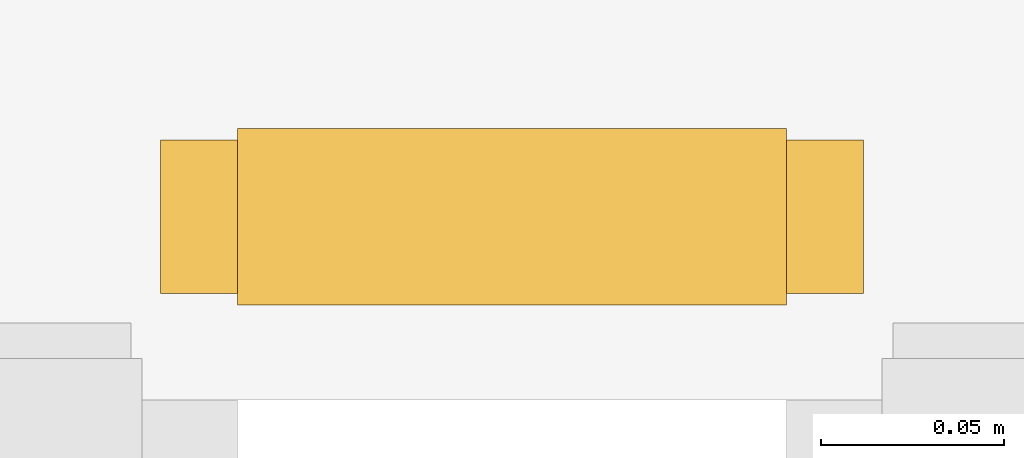
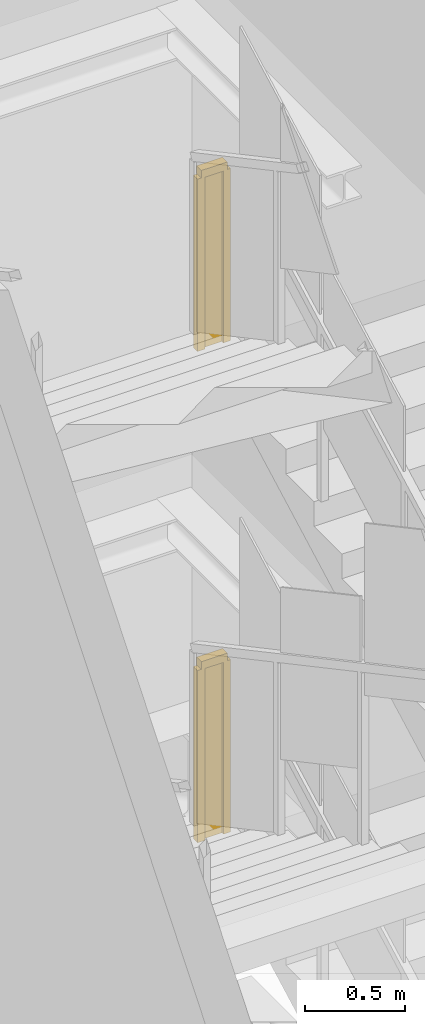
# One storey, part 31 of 31: 2 railings.
"""IFC4 building model written with IfcOpenShell, lengths in metres."""

import ifcopenshell
import ifcopenshell.guid

model = None  # the IFC model being written
_history = None  # IfcOwnerHistory: only IFC2X3 demands one
_inside = {}  # id of a spatial element -> (the spatial element, [elements in it])
_under = {}  # id of a project, library or spatial element -> (it, [spatial elements below it])
_declared = {}  # id of a project -> (the project, [libraries it declares])
_typed = {}  # id of a type object -> (the type object, [elements of that type])
_made_of = {}  # id of a material, layer set ... -> (it, [elements and type objects made of it])


def new_model(schema):
    """Start an empty IFC model of exactly this schema.

    Asked for "IFC4X3", IfcOpenShell would pick the latest addendum, in which some entities
    have other attributes; the version numbers below select the first issue.
    IFC2X3 requires an IfcOwnerHistory on every rooted entity: one is made here for all.
    """
    global model, _history
    if schema == "IFC4X3":
        model = ifcopenshell.file(schema_version=(4, 3, 0, 0))
    else:
        model = ifcopenshell.file(schema=schema)
    _inside.clear()
    _under.clear()
    _declared.clear()
    _typed.clear()
    _made_of.clear()
    _history = None
    if model.schema == "IFC2X3":
        org = make("IfcOrganization", Name="unknown")
        user = make(
            "IfcPersonAndOrganization",
            ThePerson=make("IfcPerson", FamilyName="unknown"),
            TheOrganization=org,
        )
        app = make(
            "IfcApplication",
            ApplicationDeveloper=org,
            Version="unknown",
            ApplicationFullName="unknown",
            ApplicationIdentifier="unknown",
        )
        _history = make(
            "IfcOwnerHistory",
            OwningUser=user,
            OwningApplication=app,
            ChangeAction="ADDED",
            CreationDate=0,
        )
    return model


def make(cls, **values):
    """One entity of the class cls with the attributes given. An attribute that is None is left unset."""
    return model.create_entity(
        cls, **{name: value for name, value in values.items() if value is not None}
    )


def rooted(cls, **values):
    """An entity with a GlobalId (a new one), such as an element, a storey or a relation."""
    return make(cls, GlobalId=ifcopenshell.guid.new(), OwnerHistory=_history, **values)


def si_unit(unit_type, name, prefix=None):
    """IfcSIUnit, for example si_unit("LENGTHUNIT", "METRE", prefix="MILLI")."""
    return make("IfcSIUnit", UnitType=unit_type, Prefix=prefix, Name=name)


def assignment(units):
    """IfcUnitAssignment: the units of a project."""
    return None if units is None else make("IfcUnitAssignment", Units=units)


def point(xyz):
    """IfcCartesianPoint."""
    return None if xyz is None else make("IfcCartesianPoint", Coordinates=xyz)


def direction(xyz):
    """IfcDirection."""
    return None if xyz is None else make("IfcDirection", DirectionRatios=xyz)


def frame(location, z_axis=None, x_axis=None):
    """IfcAxis2Placement3D, a coordinate frame: its origin and axes. An axis left out is left unset."""
    return make(
        "IfcAxis2Placement3D",
        Location=point(location),
        Axis=direction(z_axis),
        RefDirection=direction(x_axis),
    )


def frame_2d(location, x_axis=None):
    """IfcAxis2Placement2D, a coordinate frame in the plane: its origin and x axis."""
    return make(
        "IfcAxis2Placement2D", Location=point(location), RefDirection=direction(x_axis)
    )


def origin():
    """The frame at (0, 0, 0) with its axes left unset."""
    return frame((0.0, 0.0, 0.0))


def origin_2d():
    """The frame at (0, 0) in the plane with its x axis left unset."""
    return frame_2d((0.0, 0.0))


def place(relative_to, where):
    """IfcLocalPlacement: puts the frame where relative to a parent placement (None: the world)."""
    return make(
        "IfcLocalPlacement", PlacementRelTo=relative_to, RelativePlacement=where
    )


def context(
    kind, dimensions, precision=None, world=None, true_north=None, identifier=None
):
    """IfcGeometricRepresentationContext, for example the 3D "Model" context."""
    return make(
        "IfcGeometricRepresentationContext",
        ContextIdentifier=identifier,
        ContextType=kind,
        CoordinateSpaceDimension=dimensions,
        Precision=precision,
        WorldCoordinateSystem=world,
        TrueNorth=true_north,
    )


def subcontext(parent, identifier, kind, view, scale=None):
    """IfcGeometricRepresentationSubContext, for example "Body" below "Model"."""
    return make(
        "IfcGeometricRepresentationSubContext",
        ContextIdentifier=identifier,
        ContextType=kind,
        ParentContext=parent,
        TargetScale=scale,
        TargetView=view,
    )


def project(units=None, contexts=None):
    """IfcProject with its units and contexts."""
    return rooted(
        "IfcProject",
        Name="project",
        RepresentationContexts=contexts,
        UnitsInContext=assignment(units),
    )


def spatial(cls, under=None, at=None, **own):
    """A site, building, storey or space (cls), placed at a placement, below another one or the project."""
    s = rooted(cls, ObjectPlacement=at, **own)
    if under is not None:
        _under.setdefault(under.id(), (under, []))[1].append(s)
    return s


def polyline(points):
    """IfcPolyline through the points."""
    return make("IfcPolyline", Points=[point(p) for p in points])


def profile(cls, at=None, kind="AREA", **sizes):
    """A parametric profile (cls). Its sizes go by their IFC names, for example OverallWidth=200.0."""
    return make(cls, ProfileType=kind, Position=at, **sizes)


def rectangle(**sizes):
    """IfcRectangleProfileDef."""
    return profile("IfcRectangleProfileDef", **sizes)


def outline(outer, holes=None, kind="AREA"):
    """IfcArbitraryClosedProfileDef: a profile drawn as a closed curve; with holes, ...WithVoids."""
    if holes is None:
        return make("IfcArbitraryClosedProfileDef", ProfileType=kind, OuterCurve=outer)
    return make(
        "IfcArbitraryProfileDefWithVoids",
        ProfileType=kind,
        OuterCurve=outer,
        InnerCurves=holes,
    )


def extrude(swept, where, along, depth):
    """IfcExtrudedAreaSolid: the profile swept, set in the frame where, extruded along a direction by depth."""
    return make(
        "IfcExtrudedAreaSolid",
        SweptArea=swept,
        Position=where,
        ExtrudedDirection=direction(along),
        Depth=depth,
    )


def shape(context_of_items, identifier, shape_type, items):
    """IfcShapeRepresentation: the items that make up one representation, for example the "Body"."""
    return make(
        "IfcShapeRepresentation",
        ContextOfItems=context_of_items,
        RepresentationIdentifier=identifier,
        RepresentationType=shape_type,
        Items=items,
    )


def material(Name=None, Category=None):
    """IfcMaterial."""
    return make("IfcMaterial", Name=Name, Category=Category)


def made_of(thing, what):
    """Note that an element or type object is made of a material, layer set ...; save() writes the relation."""
    if what is not None:
        _made_of.setdefault(what.id(), (what, []))[1].append(thing)
    return thing


def type_object(cls, material=None, **own):
    """A type object (cls), such as IfcWallType, which elements share."""
    return made_of(rooted(cls, **own), material)


def element(
    cls,
    number,
    at=None,
    inside=None,
    cuts=None,
    type_object=None,
    material=None,
    context=None,
    identifier="Body",
    shape_type=None,
    held_by="IfcProductDefinitionShape",
    body=None,
    shapes=None,
    **own,
):
    """One element of the class cls, such as IfcWall. Its Tag is "e" and its number.

    at: its placement. inside: the storey or other place that contains it. cuts: it is an
    opening in that element (IfcRelVoidsElement). A single representation is given by context,
    identifier, shape_type and body (its items); several are given by shapes. held_by: the class
    of the entity that holds the representations. save() writes the other relations.
    """
    e = rooted(cls, Tag="e%d" % number, ObjectPlacement=at, **own)
    if body is not None:
        shapes = [shape(context, identifier, shape_type, body)]
    if shapes is not None:
        e.Representation = make(held_by, Representations=shapes)
    if inside is not None:
        _inside.setdefault(inside.id(), (inside, []))[1].append(e)
    if cuts is not None:
        rooted(
            "IfcRelVoidsElement", RelatingBuildingElement=cuts, RelatedOpeningElement=e
        )
    if type_object is not None:
        _typed.setdefault(type_object.id(), (type_object, []))[1].append(e)
    return made_of(e, material)


def aggregate(whole, parts):
    """IfcRelAggregates: a whole, such as a stair, and the parts it consists of."""
    return rooted("IfcRelAggregates", RelatingObject=whole, RelatedObjects=parts)


def save(model, path):
    """Write the relations noted so far, then the file.

    IfcRelAggregates (storeys below a building ...), IfcRelContainedInSpatialStructure (elements
    in a storey), IfcRelDefinesByType, IfcRelAssociatesMaterial and IfcRelDeclares: one each for
    every whole, place, type object, material and project.
    """
    for whole, parts in _under.values():
        aggregate(whole, parts)
    for where, things in _inside.values():
        rooted(
            "IfcRelContainedInSpatialStructure",
            RelatedElements=things,
            RelatingStructure=where,
        )
    for kind, things in _typed.values():
        rooted("IfcRelDefinesByType", RelatedObjects=things, RelatingType=kind)
    for what, things in _made_of.values():
        rooted("IfcRelAssociatesMaterial", RelatedObjects=things, RelatingMaterial=what)
    for by, libraries in _declared.values():
        rooted("IfcRelDeclares", RelatingContext=by, RelatedDefinitions=libraries)
    model.write(path)


model = new_model("IFC4")

# Units and contexts
model_context = context("Model", 3, precision=1e-05, world=origin(), true_north=direction((0.0, 1.0)))
body_context = subcontext(model_context, "Body", "Model", "MODEL_VIEW")
ifc_project = project(units=[si_unit("LENGTHUNIT", "METRE"), si_unit("AREAUNIT", "SQUARE_METRE"), si_unit("VOLUMEUNIT", "CUBIC_METRE"), si_unit("PLANEANGLEUNIT", "RADIAN"), si_unit("MASSUNIT", "GRAM", prefix="KILO")], contexts=[model_context])

# Site, building, storey
site_placement = place(None, origin())
site = spatial("IfcSite", under=ifc_project, at=site_placement, CompositionType="ELEMENT")
building_placement = place(site_placement, origin())
building = spatial("IfcBuilding", under=site, at=building_placement, Name="Cairn Pilgrim Tower", CompositionType="ELEMENT")
storey_placement = place(building_placement, frame((0.0, 0.0, 9.0)))
storey = spatial("IfcBuildingStorey", under=building, at=storey_placement, Name="L01", CompositionType="ELEMENT", Elevation=9.0)

# Railings
ifc_material = material(Name="Painted steel", Category="steel")
railing_type = type_object("IfcRailingType", Name="PODIUM STAIR GUARD 1100", PredefinedType="GUARDRAIL", material=ifc_material)
for number, where, name in (
    (1, (32.64990234375, 22.77001953125, 1.5), "L01 ST-ES4 stair guard 2"),
    (2, (32.64990234375, 22.77001953125, 4.5), "L01 ST-ES4 stair guard 6"),
):
    element("IfcRailing", number, at=place(storey_placement, frame(where)), inside=storey, type_object=railing_type, Name=name, PredefinedType="GUARDRAIL", context=body_context, shape_type="SweptSolid", body=[
        extrude(rectangle(XDim=0.048095703125, YDim=0.048095703125, at=origin_2d()), frame((0.0, 0.0, 1.076171875), z_axis=(-1.0, 0.0, 0.0), x_axis=(0.0, -1.0, 0.0)), (0.0, 0.0, 1.0), 0.14990234375),
        extrude(rectangle(XDim=0.0419921875, YDim=0.0419921875, at=origin_2d()), origin(), (0.0, 0.0, 1.0), 1.052001953125),
        extrude(rectangle(XDim=0.0419921875, YDim=0.0419921875, at=origin_2d()), frame((-0.14990234375, 0.0, 0.0)), (0.0, 0.0, 1.0), 1.052001953125),
        extrude(outline(polyline([(0.02099609375, 0.0), (0.12890625, 0.0), (0.12890625, 1.052001953125), (0.02099609375, 1.052001953125), (0.02099609375, 0.0)])), frame((0.0, -0.005859375, 0.0), z_axis=(0.0, 1.0, 0.0), x_axis=(-1.0, 0.0, 0.0)), (0.0, 0.0, 1.0), 0.011962890625),
    ])

save(model, "model.ifc")
